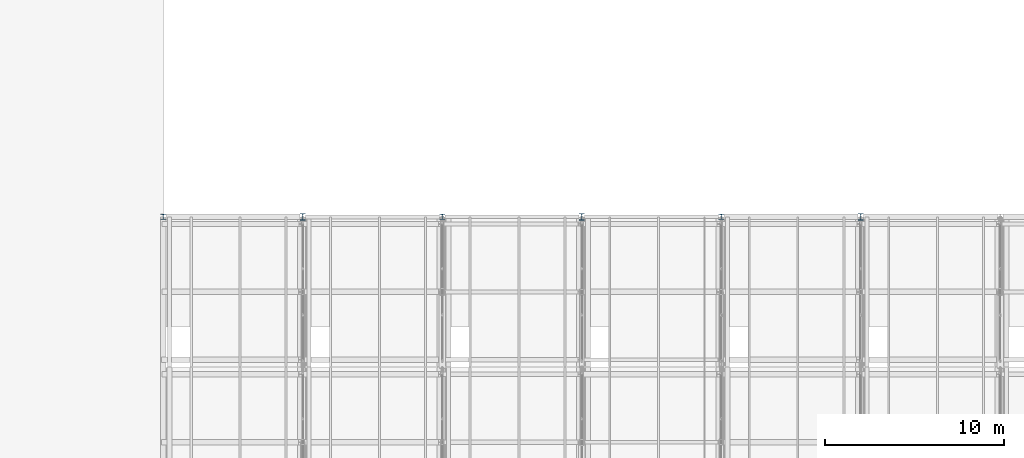
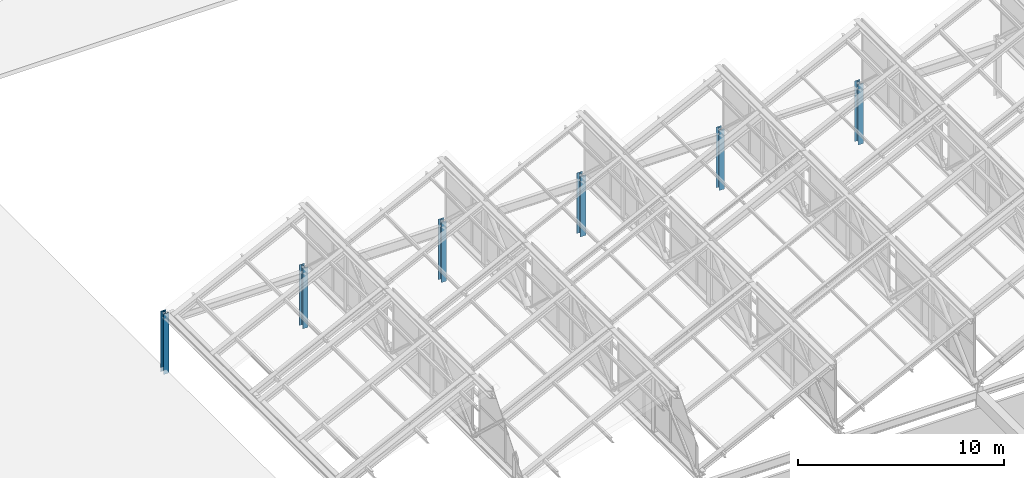
# One storey, part 4 of 101: 6 columns.
"""IFC4 building model written with IfcOpenShell, lengths in metres."""

import ifcopenshell
import ifcopenshell.guid

model = None  # the IFC model being written
_history = None  # IfcOwnerHistory: only IFC2X3 demands one
_inside = {}  # id of a spatial element -> (the spatial element, [elements in it])
_under = {}  # id of a project, library or spatial element -> (it, [spatial elements below it])
_declared = {}  # id of a project -> (the project, [libraries it declares])
_typed = {}  # id of a type object -> (the type object, [elements of that type])
_made_of = {}  # id of a material, layer set ... -> (it, [elements and type objects made of it])


def new_model(schema):
    """Start an empty IFC model of exactly this schema.

    Asked for "IFC4X3", IfcOpenShell would pick the latest addendum, in which some entities
    have other attributes; the version numbers below select the first issue.
    IFC2X3 requires an IfcOwnerHistory on every rooted entity: one is made here for all.
    """
    global model, _history
    if schema == "IFC4X3":
        model = ifcopenshell.file(schema_version=(4, 3, 0, 0))
    else:
        model = ifcopenshell.file(schema=schema)
    _inside.clear()
    _under.clear()
    _declared.clear()
    _typed.clear()
    _made_of.clear()
    _history = None
    if model.schema == "IFC2X3":
        org = make("IfcOrganization", Name="unknown")
        user = make(
            "IfcPersonAndOrganization",
            ThePerson=make("IfcPerson", FamilyName="unknown"),
            TheOrganization=org,
        )
        app = make(
            "IfcApplication",
            ApplicationDeveloper=org,
            Version="unknown",
            ApplicationFullName="unknown",
            ApplicationIdentifier="unknown",
        )
        _history = make(
            "IfcOwnerHistory",
            OwningUser=user,
            OwningApplication=app,
            ChangeAction="ADDED",
            CreationDate=0,
        )
    return model


def make(cls, **values):
    """One entity of the class cls with the attributes given. An attribute that is None is left unset."""
    return model.create_entity(
        cls, **{name: value for name, value in values.items() if value is not None}
    )


def rooted(cls, **values):
    """An entity with a GlobalId (a new one), such as an element, a storey or a relation."""
    return make(cls, GlobalId=ifcopenshell.guid.new(), OwnerHistory=_history, **values)


def si_unit(unit_type, name, prefix=None):
    """IfcSIUnit, for example si_unit("LENGTHUNIT", "METRE", prefix="MILLI")."""
    return make("IfcSIUnit", UnitType=unit_type, Prefix=prefix, Name=name)


def assignment(units):
    """IfcUnitAssignment: the units of a project."""
    return None if units is None else make("IfcUnitAssignment", Units=units)


def point(xyz):
    """IfcCartesianPoint."""
    return None if xyz is None else make("IfcCartesianPoint", Coordinates=xyz)


def direction(xyz):
    """IfcDirection."""
    return None if xyz is None else make("IfcDirection", DirectionRatios=xyz)


def frame(location, z_axis=None, x_axis=None):
    """IfcAxis2Placement3D, a coordinate frame: its origin and axes. An axis left out is left unset."""
    return make(
        "IfcAxis2Placement3D",
        Location=point(location),
        Axis=direction(z_axis),
        RefDirection=direction(x_axis),
    )


def frame_2d(location, x_axis=None):
    """IfcAxis2Placement2D, a coordinate frame in the plane: its origin and x axis."""
    return make(
        "IfcAxis2Placement2D", Location=point(location), RefDirection=direction(x_axis)
    )


def origin():
    """The frame at (0, 0, 0) with its axes left unset."""
    return frame((0.0, 0.0, 0.0))


def origin_2d():
    """The frame at (0, 0) in the plane with its x axis left unset."""
    return frame_2d((0.0, 0.0))


def place(relative_to, where):
    """IfcLocalPlacement: puts the frame where relative to a parent placement (None: the world)."""
    return make(
        "IfcLocalPlacement", PlacementRelTo=relative_to, RelativePlacement=where
    )


def context(
    kind, dimensions, precision=None, world=None, true_north=None, identifier=None
):
    """IfcGeometricRepresentationContext, for example the 3D "Model" context."""
    return make(
        "IfcGeometricRepresentationContext",
        ContextIdentifier=identifier,
        ContextType=kind,
        CoordinateSpaceDimension=dimensions,
        Precision=precision,
        WorldCoordinateSystem=world,
        TrueNorth=true_north,
    )


def subcontext(parent, identifier, kind, view, scale=None):
    """IfcGeometricRepresentationSubContext, for example "Body" below "Model"."""
    return make(
        "IfcGeometricRepresentationSubContext",
        ContextIdentifier=identifier,
        ContextType=kind,
        ParentContext=parent,
        TargetScale=scale,
        TargetView=view,
    )


def project(units=None, contexts=None):
    """IfcProject with its units and contexts."""
    return rooted(
        "IfcProject",
        Name="project",
        RepresentationContexts=contexts,
        UnitsInContext=assignment(units),
    )


def spatial(cls, under=None, at=None, **own):
    """A site, building, storey or space (cls), placed at a placement, below another one or the project."""
    s = rooted(cls, ObjectPlacement=at, **own)
    if under is not None:
        _under.setdefault(under.id(), (under, []))[1].append(s)
    return s


def profile(cls, at=None, kind="AREA", **sizes):
    """A parametric profile (cls). Its sizes go by their IFC names, for example OverallWidth=200.0."""
    return make(cls, ProfileType=kind, Position=at, **sizes)


def i_section(**sizes):
    """IfcIShapeProfileDef."""
    return profile("IfcIShapeProfileDef", **sizes)


def extrude(swept, where, along, depth):
    """IfcExtrudedAreaSolid: the profile swept, set in the frame where, extruded along a direction by depth."""
    return make(
        "IfcExtrudedAreaSolid",
        SweptArea=swept,
        Position=where,
        ExtrudedDirection=direction(along),
        Depth=depth,
    )


def shape(context_of_items, identifier, shape_type, items):
    """IfcShapeRepresentation: the items that make up one representation, for example the "Body"."""
    return make(
        "IfcShapeRepresentation",
        ContextOfItems=context_of_items,
        RepresentationIdentifier=identifier,
        RepresentationType=shape_type,
        Items=items,
    )


def material(Name=None, Category=None):
    """IfcMaterial."""
    return make("IfcMaterial", Name=Name, Category=Category)


def material_profile(
    of_material, cross_section, Name=None, Category=None, Priority=None
):
    """IfcMaterialProfile: a cross section and its material."""
    return make(
        "IfcMaterialProfile",
        Name=Name,
        Material=of_material,
        Profile=cross_section,
        Priority=Priority,
        Category=Category,
    )


def profile_set(profiles, Name=None, composite=None):
    """IfcMaterialProfileSet."""
    return make(
        "IfcMaterialProfileSet",
        Name=Name,
        MaterialProfiles=profiles,
        CompositeProfile=composite,
    )


def made_of(thing, what):
    """Note that an element or type object is made of a material, layer set ...; save() writes the relation."""
    if what is not None:
        _made_of.setdefault(what.id(), (what, []))[1].append(thing)
    return thing


def type_object(cls, material=None, **own):
    """A type object (cls), such as IfcWallType, which elements share."""
    return made_of(rooted(cls, **own), material)


def element(
    cls,
    number,
    at=None,
    inside=None,
    cuts=None,
    type_object=None,
    material=None,
    context=None,
    identifier="Body",
    shape_type=None,
    held_by="IfcProductDefinitionShape",
    body=None,
    shapes=None,
    **own,
):
    """One element of the class cls, such as IfcWall. Its Tag is "e" and its number.

    at: its placement. inside: the storey or other place that contains it. cuts: it is an
    opening in that element (IfcRelVoidsElement). A single representation is given by context,
    identifier, shape_type and body (its items); several are given by shapes. held_by: the class
    of the entity that holds the representations. save() writes the other relations.
    """
    e = rooted(cls, Tag="e%d" % number, ObjectPlacement=at, **own)
    if body is not None:
        shapes = [shape(context, identifier, shape_type, body)]
    if shapes is not None:
        e.Representation = make(held_by, Representations=shapes)
    if inside is not None:
        _inside.setdefault(inside.id(), (inside, []))[1].append(e)
    if cuts is not None:
        rooted(
            "IfcRelVoidsElement", RelatingBuildingElement=cuts, RelatedOpeningElement=e
        )
    if type_object is not None:
        _typed.setdefault(type_object.id(), (type_object, []))[1].append(e)
    return made_of(e, material)


def aggregate(whole, parts):
    """IfcRelAggregates: a whole, such as a stair, and the parts it consists of."""
    return rooted("IfcRelAggregates", RelatingObject=whole, RelatedObjects=parts)


def save(model, path):
    """Write the relations noted so far, then the file.

    IfcRelAggregates (storeys below a building ...), IfcRelContainedInSpatialStructure (elements
    in a storey), IfcRelDefinesByType, IfcRelAssociatesMaterial and IfcRelDeclares: one each for
    every whole, place, type object, material and project.
    """
    for whole, parts in _under.values():
        aggregate(whole, parts)
    for where, things in _inside.values():
        rooted(
            "IfcRelContainedInSpatialStructure",
            RelatedElements=things,
            RelatingStructure=where,
        )
    for kind, things in _typed.values():
        rooted("IfcRelDefinesByType", RelatedObjects=things, RelatingType=kind)
    for what, things in _made_of.values():
        rooted("IfcRelAssociatesMaterial", RelatedObjects=things, RelatingMaterial=what)
    for by, libraries in _declared.values():
        rooted("IfcRelDeclares", RelatingContext=by, RelatedDefinitions=libraries)
    model.write(path)


model = new_model("IFC4")

# Units and contexts
model_context = context("Model", 3, precision=1e-05, world=origin(), true_north=direction((0.0, 1.0)))
body_context = subcontext(model_context, "Body", "Model", "MODEL_VIEW")
ifc_project = project(units=[si_unit("LENGTHUNIT", "METRE"), si_unit("AREAUNIT", "SQUARE_METRE"), si_unit("VOLUMEUNIT", "CUBIC_METRE"), si_unit("PLANEANGLEUNIT", "RADIAN"), si_unit("MASSUNIT", "GRAM", prefix="KILO")], contexts=[model_context])

# Site, building, storey
site_placement = place(None, origin())
site = spatial("IfcSite", under=ifc_project, at=site_placement, CompositionType="ELEMENT")
building_placement = place(site_placement, origin())
building = spatial("IfcBuilding", under=site, at=building_placement, Name="Zizhar Promenade General Hospital", CompositionType="ELEMENT")
storey_placement = place(building_placement, frame((0.0, 0.0, 14.39990234375)))
storey = spatial("IfcBuildingStorey", under=building, at=storey_placement, Name="L03", CompositionType="ELEMENT", Elevation=14.39990234375)

# Columns
ifc_material_1 = material(Name="Steel S355", Category="steel")
ifc_material_profile_1 = material_profile(ifc_material_1, i_section(OverallWidth=0.300048828125, OverallDepth=0.300048828125, WebThickness=0.010986328125, FlangeThickness=0.01904296875, FilletRadius=0.027099609375, at=origin_2d()))
ifc_profile_set_1 = profile_set([ifc_material_profile_1], Name="Steel S355")
column_type_1 = type_object("IfcColumnType", Name="COL-STL-HEB300", PredefinedType="COLUMN", material=ifc_profile_set_1)
for number, where, z_axis, x_axis, name in (
    (1, (70.199951171875, 50.39990234375, 0.0), (0.0, 0.0, 1.0), (1.0, 0.0, 0.0), "Column 10-G (L03)"),
    (2, (85.800048828125, 50.39990234375, 0.0), (0.0, 0.0, 1.0), (1.0, 0.0, 0.0), "Column 12-G (L03)"),
    (3, (101.39990234375, 50.39990234375, 0.0), (0.0, 0.0, 1.0), (1.0, 0.0, 0.0), "Column 14-G (L03)"),
):
    element("IfcColumn", number, at=place(storey_placement, frame(where, z_axis=z_axis, x_axis=x_axis)), inside=storey, type_object=column_type_1, Name=name, PredefinedType="COLUMN", context=body_context, shape_type="SweptSolid", body=[
        extrude(i_section(OverallWidth=0.300048828125, OverallDepth=0.300048828125, WebThickness=0.010986328125, FlangeThickness=0.01904296875, FilletRadius=0.027099609375, at=origin_2d()), origin(), (0.0, 0.0, 1.0), 3.60009765625),
    ])
ifc_material_2 = material(Name="Steel S355", Category="steel")
ifc_material_profile_2 = material_profile(ifc_material_2, i_section(OverallWidth=0.300048828125, OverallDepth=0.360107421875, WebThickness=0.012451171875, FlangeThickness=0.0224609375, FilletRadius=0.027099609375, at=origin_2d()))
ifc_profile_set_2 = profile_set([ifc_material_profile_2], Name="Steel S355")
column_type_2 = type_object("IfcColumnType", Name="COL-STL-HEB360", PredefinedType="COLUMN", material=ifc_profile_set_2)
for number, where, z_axis, x_axis, name in (
    (4, (78.0, 50.39990234375, 0.0), (0.0, 0.0, 1.0), (1.0, 0.0, 0.0), "Column 11-G (L03)"),
    (5, (93.60009765625, 50.39990234375, 0.0), (0.0, 0.0, 1.0), (1.0, 0.0, 0.0), "Column 13-G (L03)"),
    (6, (109.199951171875, 50.39990234375, 0.0), (0.0, 0.0, 1.0), (1.0, 0.0, 0.0), "Column 15-G (L03)"),
):
    element("IfcColumn", number, at=place(storey_placement, frame(where, z_axis=z_axis, x_axis=x_axis)), inside=storey, type_object=column_type_2, Name=name, PredefinedType="COLUMN", context=body_context, shape_type="SweptSolid", body=[
        extrude(i_section(OverallWidth=0.300048828125, OverallDepth=0.360107421875, WebThickness=0.012451171875, FlangeThickness=0.0224609375, FilletRadius=0.027099609375, at=origin_2d()), origin(), (0.0, 0.0, 1.0), 3.60009765625),
    ])

save(model, "model.ifc")
